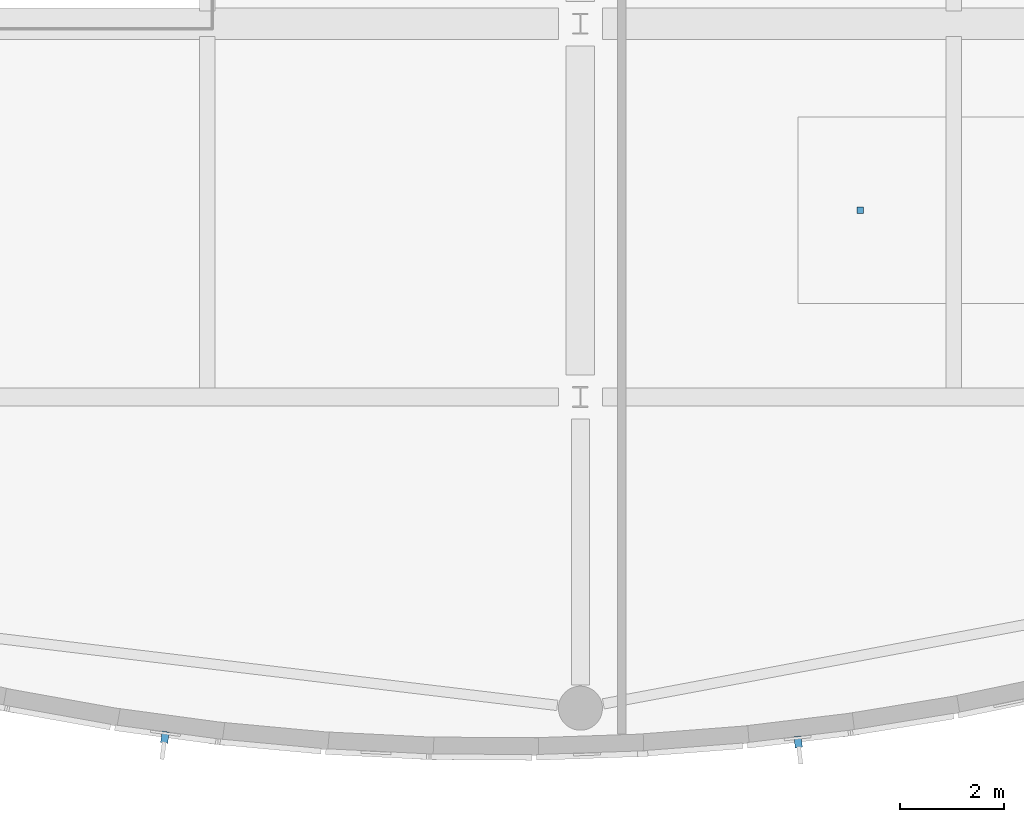
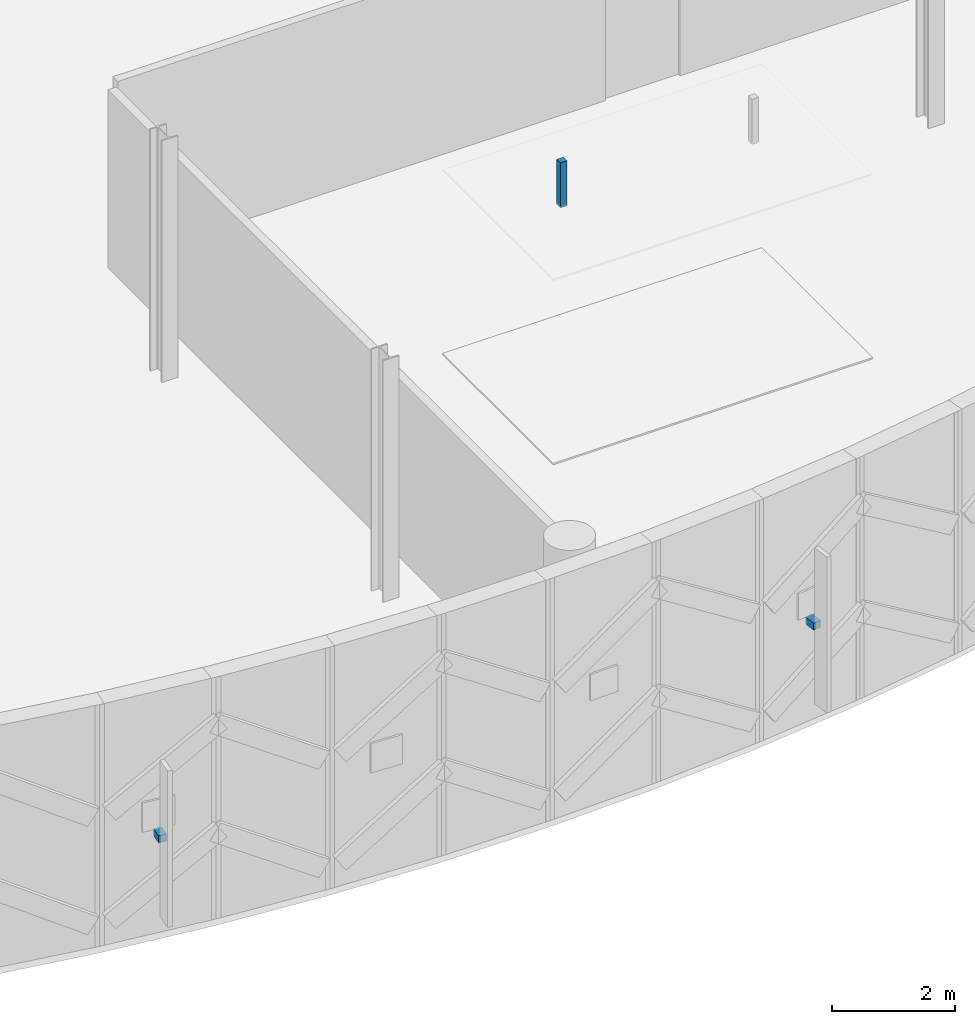
# One storey, part 174 of 220: 3 discrete accessories.
"""IFC4 building model written with IfcOpenShell, lengths in metres."""

from ifc_helpers import new_model, si_unit, direction, frame, origin, origin_2d, place, context, subcontext, project, spatial, rectangle, extrude, material, type_object, element, save


model = new_model("IFC4")

# Units and contexts
model_context = context("Model", 3, precision=1e-05, world=origin(), true_north=direction((0.0, 1.0)))
body_context = subcontext(model_context, "Body", "Model", "MODEL_VIEW")
ifc_project = project(units=[si_unit("LENGTHUNIT", "METRE"), si_unit("AREAUNIT", "SQUARE_METRE"), si_unit("VOLUMEUNIT", "CUBIC_METRE"), si_unit("PLANEANGLEUNIT", "RADIAN"), si_unit("MASSUNIT", "GRAM", prefix="KILO")], contexts=[model_context])

# Site, building, storey
site_placement = place(None, origin())
site = spatial("IfcSite", under=ifc_project, at=site_placement, CompositionType="ELEMENT")
building_placement = place(site_placement, origin())
building = spatial("IfcBuilding", under=site, at=building_placement, Name="Cendralis Lancet Convention Centre", CompositionType="ELEMENT")
storey_placement = place(building_placement, frame((0.0, 0.0, 5.39990234375)))
storey = spatial("IfcBuildingStorey", under=building, at=storey_placement, Name="L01", CompositionType="ELEMENT", Elevation=5.39990234375)

# Discrete accessories
ifc_material = material(Name="Steel S355", Category="steel")
discrete_accessory_type_1 = type_object("IfcDiscreteAccessoryType", Name="ARC-BRK-CLG", PredefinedType="BRACKET", material=ifc_material)
discrete_accessory_placement = place(storey_placement, frame((63.0, 10.800048828125, 3.650390625), z_axis=(0.0, 0.0, 1.0), x_axis=(1.0, 0.0, 0.0)))
element("IfcDiscreteAccessory", 1, at=discrete_accessory_placement, inside=storey, type_object=discrete_accessory_type_1, Name="L01 Ceiling Suspension Bracket #06-1", PredefinedType="BRACKET", context=body_context, shape_type="SweptSolid", body=[
    extrude(rectangle(XDim=0.1201171875, YDim=0.1201171875, at=origin_2d()), origin(), (0.0, 0.0, 1.0), 0.889892578125),
])
discrete_accessory_type_2 = type_object("IfcDiscreteAccessoryType", Name="ARC-BRK-FIN", PredefinedType="BRACKET", material=ifc_material)
for number, where, z_axis, x_axis, name in (
    (2, (49.583740234375, 0.6357421875, 1.93017578125), (0.0, 0.0, 1.0), (0.991034573663, -0.133605665318, 0.0), "Facade Fin Bracket BK-FIN #009"),
    (3, (61.800537109375, 0.544921875, 1.93017578125), (0.0, 0.0, 1.0), (0.992818021481, 0.119634343823, 0.0), "Facade Fin Bracket BK-FIN #011"),
):
    element("IfcDiscreteAccessory", number, at=place(storey_placement, frame(where, z_axis=z_axis, x_axis=x_axis)), inside=storey, type_object=discrete_accessory_type_2, Name=name, PredefinedType="BRACKET", context=body_context, shape_type="SweptSolid", body=[
        extrude(rectangle(XDim=0.139892578125, YDim=0.219970703125, at=origin_2d()), origin(), (0.0, 0.0, 1.0), 0.139892578125),
    ])

save(model, "model.ifc")
